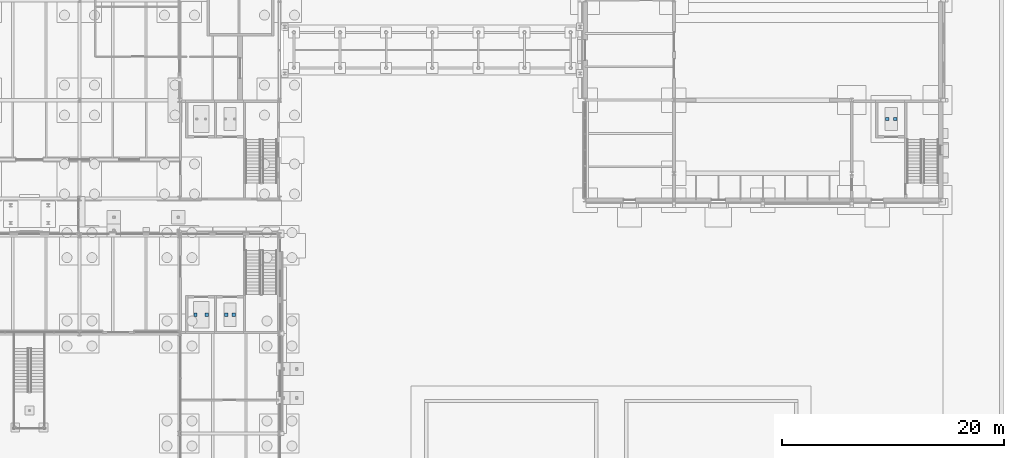
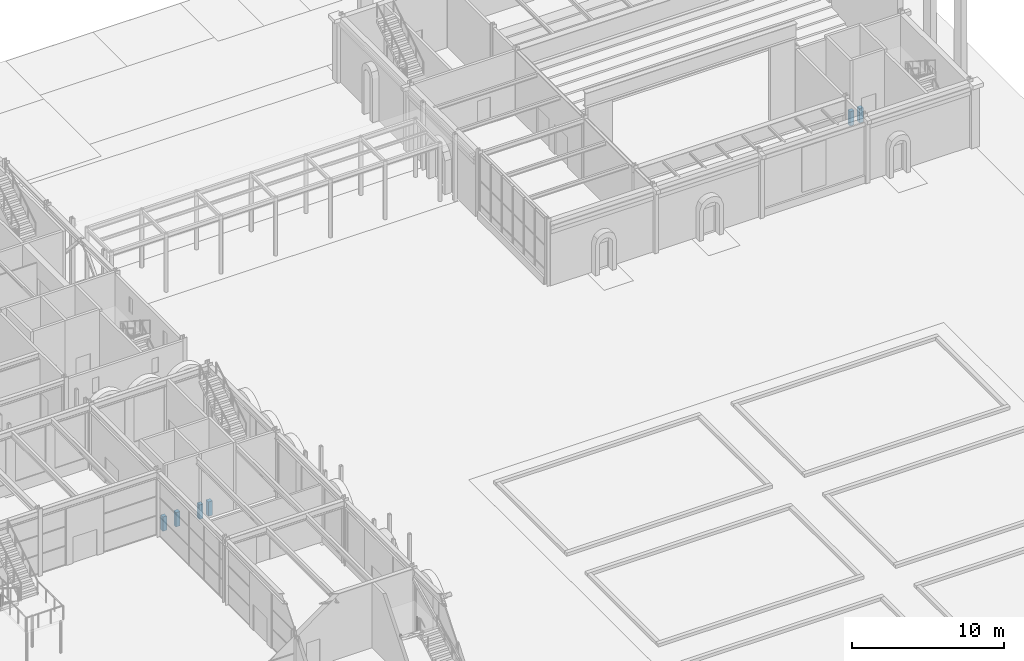
# One storey, part 88 of 126: 6 discrete accessories.
"""IFC4 building model written with IfcOpenShell, lengths in metres."""

from ifc_helpers import new_model, si_unit, direction, frame, origin, origin_2d, place, context, subcontext, project, spatial, rectangle, extrude, material, type_object, element, save


model = new_model("IFC4")

# Units and contexts
model_context = context("Model", 3, precision=1e-05, world=origin(), true_north=direction((0.0, 1.0)))
body_context = subcontext(model_context, "Body", "Model", "MODEL_VIEW")
ifc_project = project(units=[si_unit("LENGTHUNIT", "METRE"), si_unit("AREAUNIT", "SQUARE_METRE"), si_unit("VOLUMEUNIT", "CUBIC_METRE"), si_unit("PLANEANGLEUNIT", "RADIAN"), si_unit("MASSUNIT", "GRAM", prefix="KILO")], contexts=[model_context])

# Site, building, storey
site_placement = place(None, origin())
site = spatial("IfcSite", under=ifc_project, at=site_placement, CompositionType="ELEMENT")
building_placement = place(site_placement, origin())
building = spatial("IfcBuilding", under=site, at=building_placement, Name="Kallimachos Central Library", CompositionType="ELEMENT")
storey_placement = place(building_placement, origin())
storey = spatial("IfcBuildingStorey", under=building, at=storey_placement, Name="L00", CompositionType="ELEMENT", Elevation=0.0)

# Discrete accessories
ifc_material = material(Name="Steel S355J2", Category="steel")
discrete_accessory_type = type_object("IfcDiscreteAccessoryType", Name="Lift buffer", PredefinedType="BRACKET", material=ifc_material)
for number, where, z_axis, x_axis, name in (
    (1, (105.699951171875, 76.699951171875, -1.099853515625), (0.0, 0.0, 1.0), (1.0, 0.0, 0.0), "Buffer LF9"),
    (2, (106.39990234375, 76.699951171875, -1.099853515625), (0.0, 0.0, 1.0), (1.0, 0.0, 0.0), "Buffer LF9"),
    (3, (102.949951171875, 76.699951171875, -1.099853515625), (0.0, 0.0, 1.0), (1.0, 0.0, 0.0), "Buffer LF10"),
    (4, (103.949951171875, 76.699951171875, -1.099853515625), (0.0, 0.0, 1.0), (1.0, 0.0, 0.0), "Buffer LF10"),
    (5, (165.199951171875, 94.300048828125, -1.099853515625), (0.0, 0.0, 1.0), (1.0, 0.0, 0.0), "Buffer LF6"),
    (6, (165.89990234375, 94.300048828125, -1.099853515625), (0.0, 0.0, 1.0), (1.0, 0.0, 0.0), "Buffer LF6"),
):
    element("IfcDiscreteAccessory", number, at=place(storey_placement, frame(where, z_axis=z_axis, x_axis=x_axis)), inside=storey, type_object=discrete_accessory_type, Name=name, PredefinedType="BRACKET", context=body_context, shape_type="SweptSolid", body=[
        extrude(rectangle(XDim=0.300048828125, YDim=0.300048828125, at=origin_2d()), origin(), (0.0, 0.0, 1.0), 1.14990234375),
    ])

save(model, "model.ifc")
